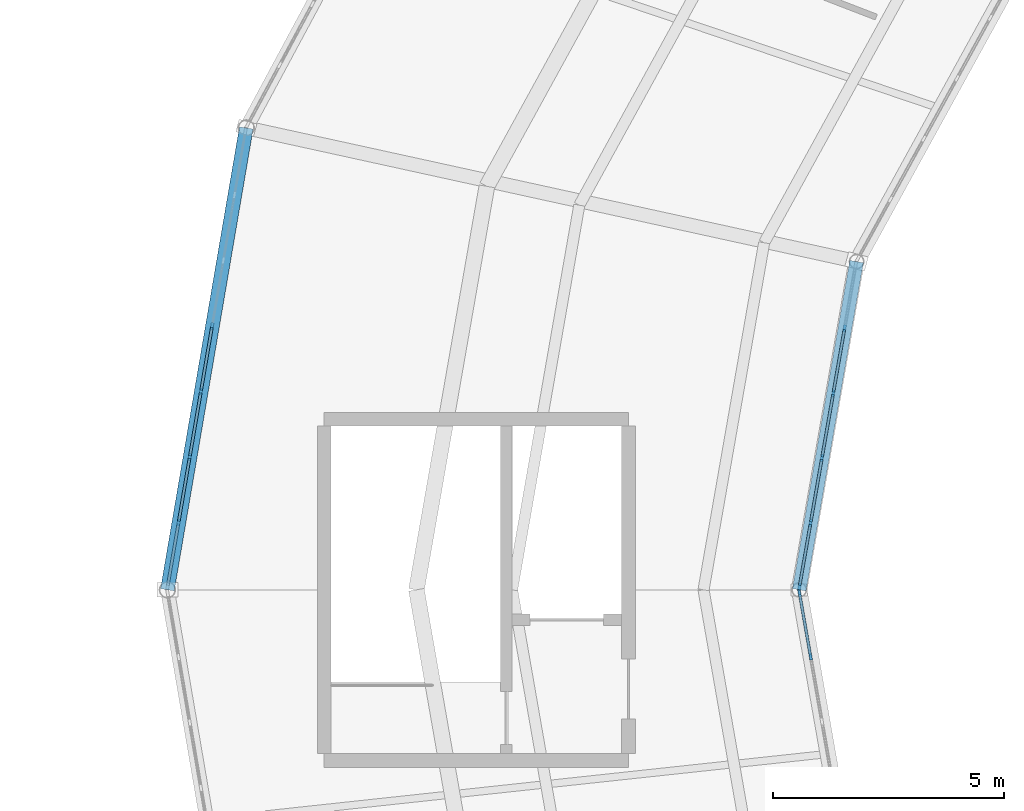
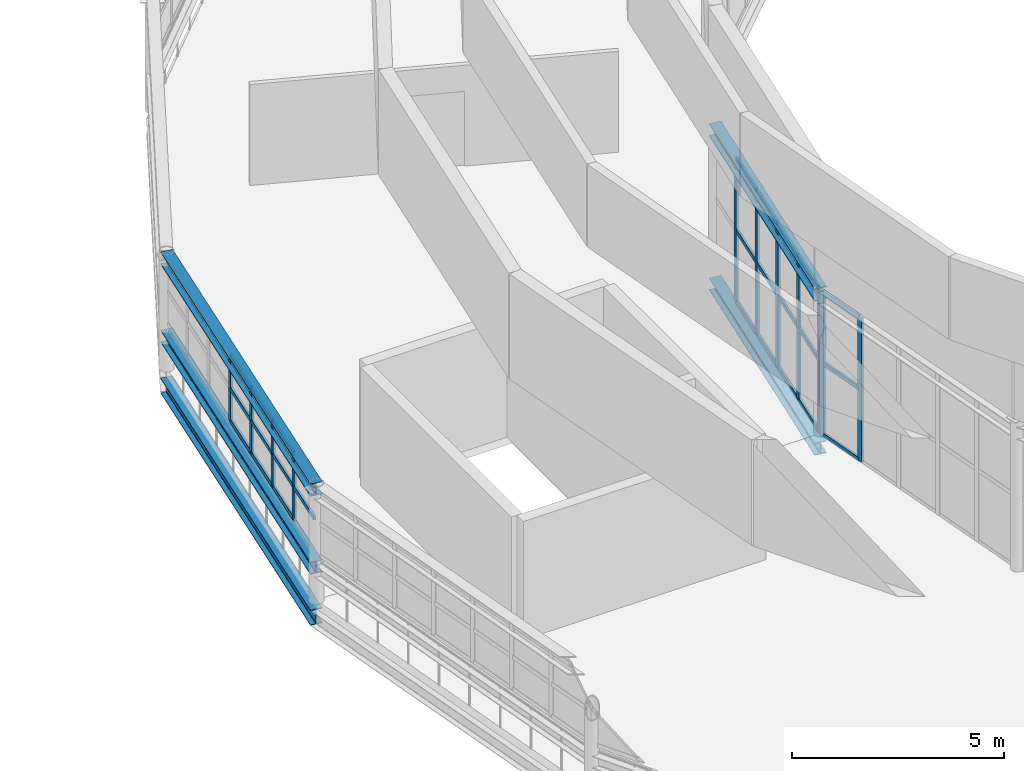
# One storey, part 40 of 123: 37 members, 5 beams, 3 elements without a shape of their own.
"""IFC4 building model written with IfcOpenShell, lengths in metres."""

import ifcopenshell
import ifcopenshell.guid

model = None  # the IFC model being written
_history = None  # IfcOwnerHistory: only IFC2X3 demands one
_inside = {}  # id of a spatial element -> (the spatial element, [elements in it])
_under = {}  # id of a project, library or spatial element -> (it, [spatial elements below it])
_declared = {}  # id of a project -> (the project, [libraries it declares])
_typed = {}  # id of a type object -> (the type object, [elements of that type])
_made_of = {}  # id of a material, layer set ... -> (it, [elements and type objects made of it])


def new_model(schema):
    """Start an empty IFC model of exactly this schema.

    Asked for "IFC4X3", IfcOpenShell would pick the latest addendum, in which some entities
    have other attributes; the version numbers below select the first issue.
    IFC2X3 requires an IfcOwnerHistory on every rooted entity: one is made here for all.
    """
    global model, _history
    if schema == "IFC4X3":
        model = ifcopenshell.file(schema_version=(4, 3, 0, 0))
    else:
        model = ifcopenshell.file(schema=schema)
    _inside.clear()
    _under.clear()
    _declared.clear()
    _typed.clear()
    _made_of.clear()
    _history = None
    if model.schema == "IFC2X3":
        org = make("IfcOrganization", Name="unknown")
        user = make(
            "IfcPersonAndOrganization",
            ThePerson=make("IfcPerson", FamilyName="unknown"),
            TheOrganization=org,
        )
        app = make(
            "IfcApplication",
            ApplicationDeveloper=org,
            Version="unknown",
            ApplicationFullName="unknown",
            ApplicationIdentifier="unknown",
        )
        _history = make(
            "IfcOwnerHistory",
            OwningUser=user,
            OwningApplication=app,
            ChangeAction="ADDED",
            CreationDate=0,
        )
    return model


def make(cls, **values):
    """One entity of the class cls with the attributes given. An attribute that is None is left unset."""
    return model.create_entity(
        cls, **{name: value for name, value in values.items() if value is not None}
    )


def rooted(cls, **values):
    """An entity with a GlobalId (a new one), such as an element, a storey or a relation."""
    return make(cls, GlobalId=ifcopenshell.guid.new(), OwnerHistory=_history, **values)


def si_unit(unit_type, name, prefix=None):
    """IfcSIUnit, for example si_unit("LENGTHUNIT", "METRE", prefix="MILLI")."""
    return make("IfcSIUnit", UnitType=unit_type, Prefix=prefix, Name=name)


def assignment(units):
    """IfcUnitAssignment: the units of a project."""
    return None if units is None else make("IfcUnitAssignment", Units=units)


def point(xyz):
    """IfcCartesianPoint."""
    return None if xyz is None else make("IfcCartesianPoint", Coordinates=xyz)


def direction(xyz):
    """IfcDirection."""
    return None if xyz is None else make("IfcDirection", DirectionRatios=xyz)


def frame(location, z_axis=None, x_axis=None):
    """IfcAxis2Placement3D, a coordinate frame: its origin and axes. An axis left out is left unset."""
    return make(
        "IfcAxis2Placement3D",
        Location=point(location),
        Axis=direction(z_axis),
        RefDirection=direction(x_axis),
    )


def frame_2d(location, x_axis=None):
    """IfcAxis2Placement2D, a coordinate frame in the plane: its origin and x axis."""
    return make(
        "IfcAxis2Placement2D", Location=point(location), RefDirection=direction(x_axis)
    )


def origin():
    """The frame at (0, 0, 0) with its axes left unset."""
    return frame((0.0, 0.0, 0.0))


def origin_2d():
    """The frame at (0, 0) in the plane with its x axis left unset."""
    return frame_2d((0.0, 0.0))


def place(relative_to, where):
    """IfcLocalPlacement: puts the frame where relative to a parent placement (None: the world)."""
    return make(
        "IfcLocalPlacement", PlacementRelTo=relative_to, RelativePlacement=where
    )


def context(
    kind, dimensions, precision=None, world=None, true_north=None, identifier=None
):
    """IfcGeometricRepresentationContext, for example the 3D "Model" context."""
    return make(
        "IfcGeometricRepresentationContext",
        ContextIdentifier=identifier,
        ContextType=kind,
        CoordinateSpaceDimension=dimensions,
        Precision=precision,
        WorldCoordinateSystem=world,
        TrueNorth=true_north,
    )


def subcontext(parent, identifier, kind, view, scale=None):
    """IfcGeometricRepresentationSubContext, for example "Body" below "Model"."""
    return make(
        "IfcGeometricRepresentationSubContext",
        ContextIdentifier=identifier,
        ContextType=kind,
        ParentContext=parent,
        TargetScale=scale,
        TargetView=view,
    )


def project(units=None, contexts=None):
    """IfcProject with its units and contexts."""
    return rooted(
        "IfcProject",
        Name="project",
        RepresentationContexts=contexts,
        UnitsInContext=assignment(units),
    )


def spatial(cls, under=None, at=None, **own):
    """A site, building, storey or space (cls), placed at a placement, below another one or the project."""
    s = rooted(cls, ObjectPlacement=at, **own)
    if under is not None:
        _under.setdefault(under.id(), (under, []))[1].append(s)
    return s


def profile(cls, at=None, kind="AREA", **sizes):
    """A parametric profile (cls). Its sizes go by their IFC names, for example OverallWidth=200.0."""
    return make(cls, ProfileType=kind, Position=at, **sizes)


def rectangle(**sizes):
    """IfcRectangleProfileDef."""
    return profile("IfcRectangleProfileDef", **sizes)


def i_section(**sizes):
    """IfcIShapeProfileDef."""
    return profile("IfcIShapeProfileDef", **sizes)


def extrude(swept, where, along, depth):
    """IfcExtrudedAreaSolid: the profile swept, set in the frame where, extruded along a direction by depth."""
    return make(
        "IfcExtrudedAreaSolid",
        SweptArea=swept,
        Position=where,
        ExtrudedDirection=direction(along),
        Depth=depth,
    )


def shape(context_of_items, identifier, shape_type, items):
    """IfcShapeRepresentation: the items that make up one representation, for example the "Body"."""
    return make(
        "IfcShapeRepresentation",
        ContextOfItems=context_of_items,
        RepresentationIdentifier=identifier,
        RepresentationType=shape_type,
        Items=items,
    )


def material(Name=None, Category=None):
    """IfcMaterial."""
    return make("IfcMaterial", Name=Name, Category=Category)


def material_profile(
    of_material, cross_section, Name=None, Category=None, Priority=None
):
    """IfcMaterialProfile: a cross section and its material."""
    return make(
        "IfcMaterialProfile",
        Name=Name,
        Material=of_material,
        Profile=cross_section,
        Priority=Priority,
        Category=Category,
    )


def profile_set(profiles, Name=None, composite=None):
    """IfcMaterialProfileSet."""
    return make(
        "IfcMaterialProfileSet",
        Name=Name,
        MaterialProfiles=profiles,
        CompositeProfile=composite,
    )


def made_of(thing, what):
    """Note that an element or type object is made of a material, layer set ...; save() writes the relation."""
    if what is not None:
        _made_of.setdefault(what.id(), (what, []))[1].append(thing)
    return thing


def type_object(cls, material=None, **own):
    """A type object (cls), such as IfcWallType, which elements share."""
    return made_of(rooted(cls, **own), material)


def element(
    cls,
    number,
    at=None,
    inside=None,
    cuts=None,
    type_object=None,
    material=None,
    context=None,
    identifier="Body",
    shape_type=None,
    held_by="IfcProductDefinitionShape",
    body=None,
    shapes=None,
    **own,
):
    """One element of the class cls, such as IfcWall. Its Tag is "e" and its number.

    at: its placement. inside: the storey or other place that contains it. cuts: it is an
    opening in that element (IfcRelVoidsElement). A single representation is given by context,
    identifier, shape_type and body (its items); several are given by shapes. held_by: the class
    of the entity that holds the representations. save() writes the other relations.
    """
    e = rooted(cls, Tag="e%d" % number, ObjectPlacement=at, **own)
    if body is not None:
        shapes = [shape(context, identifier, shape_type, body)]
    if shapes is not None:
        e.Representation = make(held_by, Representations=shapes)
    if inside is not None:
        _inside.setdefault(inside.id(), (inside, []))[1].append(e)
    if cuts is not None:
        rooted(
            "IfcRelVoidsElement", RelatingBuildingElement=cuts, RelatedOpeningElement=e
        )
    if type_object is not None:
        _typed.setdefault(type_object.id(), (type_object, []))[1].append(e)
    return made_of(e, material)


def aggregate(whole, parts):
    """IfcRelAggregates: a whole, such as a stair, and the parts it consists of."""
    return rooted("IfcRelAggregates", RelatingObject=whole, RelatedObjects=parts)


def save(model, path):
    """Write the relations noted so far, then the file.

    IfcRelAggregates (storeys below a building ...), IfcRelContainedInSpatialStructure (elements
    in a storey), IfcRelDefinesByType, IfcRelAssociatesMaterial and IfcRelDeclares: one each for
    every whole, place, type object, material and project.
    """
    for whole, parts in _under.values():
        aggregate(whole, parts)
    for where, things in _inside.values():
        rooted(
            "IfcRelContainedInSpatialStructure",
            RelatedElements=things,
            RelatingStructure=where,
        )
    for kind, things in _typed.values():
        rooted("IfcRelDefinesByType", RelatedObjects=things, RelatingType=kind)
    for what, things in _made_of.values():
        rooted("IfcRelAssociatesMaterial", RelatedObjects=things, RelatingMaterial=what)
    for by, libraries in _declared.values():
        rooted("IfcRelDeclares", RelatingContext=by, RelatedDefinitions=libraries)
    model.write(path)


model = new_model("IFC4")

# Units and contexts
model_context = context("Model", 3, precision=1e-05, world=origin(), true_north=direction((0.0, 1.0)))
body_context = subcontext(model_context, "Body", "Model", "MODEL_VIEW")
ifc_project = project(units=[si_unit("LENGTHUNIT", "METRE"), si_unit("AREAUNIT", "SQUARE_METRE"), si_unit("VOLUMEUNIT", "CUBIC_METRE"), si_unit("PLANEANGLEUNIT", "RADIAN"), si_unit("MASSUNIT", "GRAM", prefix="KILO")], contexts=[model_context])

# Site, building, storey
site_placement = place(None, origin())
site = spatial("IfcSite", under=ifc_project, at=site_placement, CompositionType="ELEMENT")
building_placement = place(site_placement, origin())
building = spatial("IfcBuilding", under=site, at=building_placement, Name="Kildeholm Park Wholesale Market", CompositionType="ELEMENT")
storey_placement = place(building_placement, frame((0.0, 0.0, 9.60009765625)))
storey = spatial("IfcBuildingStorey", under=building, at=storey_placement, Name="L02", CompositionType="ELEMENT", Elevation=9.60009765625)

# Beams
ifc_material_1 = material(Name="Steel S355", Category="steel")
ifc_material_profile_1 = material_profile(ifc_material_1, i_section(OverallWidth=0.300048828125, OverallDepth=0.35009765625, WebThickness=0.010009765625, FlangeThickness=0.017578125, FilletRadius=0.027099609375, at=origin_2d()), Name="HEA 360")
ifc_profile_set_1 = profile_set([ifc_material_profile_1], Name="Steel S355")
beam_type_1 = type_object("IfcBeamType", Name="Beam B-R01 HEA 360", PredefinedType="BEAM", material=ifc_profile_set_1)
beam_1_placement = place(storey_placement, frame((63.743896484375, 96.617919921875, -0.42919921875), z_axis=(-0.172146745201, -0.985071316259, 0.0), x_axis=(0.985071316259, -0.172146745201, 0.0)))
element("IfcBeam", 1, at=beam_1_placement, inside=storey, type_object=beam_type_1, Name="Beam BM-V1-L02-CI-11 BM-0106", PredefinedType="BEAM", context=body_context, shape_type="SweptSolid", body=[
    extrude(i_section(OverallWidth=0.300048828125, OverallDepth=0.35009765625, WebThickness=0.010009765625, FlangeThickness=0.017578125, FilletRadius=0.027099609375, at=origin_2d()), origin(), (0.0, 0.0, 1.0), 7.225830078125),
])
beam_2_placement = place(storey_placement, frame((50.510986328125, 99.51611328125, 0.94775390625), z_axis=(-0.168379597692, -0.985722228156, 0.0), x_axis=(0.985722228156, -0.168379597692, 0.0)))
element("IfcBeam", 2, at=beam_2_placement, inside=storey, type_object=beam_type_1, Name="Beam BM-V1-S1IN-11 BM-0287", PredefinedType="BEAM", context=body_context, shape_type="SweptSolid", body=[
    extrude(i_section(OverallWidth=0.300048828125, OverallDepth=0.35009765625, WebThickness=0.010009765625, FlangeThickness=0.017578125, FilletRadius=0.027099609375, at=origin_2d()), origin(), (0.0, 0.0, 1.0), 10.1611328125),
])
ifc_material_profile_2 = material_profile(ifc_material_1, i_section(OverallWidth=0.300048828125, OverallDepth=0.43994140625, WebThickness=0.011474609375, FlangeThickness=0.02099609375, FilletRadius=0.027099609375, at=origin_2d()), Name="HEA 450")
ifc_profile_set_2 = profile_set([ifc_material_profile_2], Name="Steel S355")
beam_type_2 = type_object("IfcBeamType", Name="Beam B-R02 HEA 450", PredefinedType="BEAM", material=ifc_profile_set_2)
beam_3_placement = place(storey_placement, frame((50.510986328125, 99.51611328125, -0.47412109375), z_axis=(-0.168379597692, -0.985722228156, 0.0), x_axis=(0.985722228156, -0.168379597692, 0.0)))
element("IfcBeam", 3, at=beam_3_placement, inside=storey, type_object=beam_type_2, Name="Beam BM-V1-L02-CM-11 BM-0107", PredefinedType="BEAM", context=body_context, shape_type="SweptSolid", body=[
    extrude(i_section(OverallWidth=0.300048828125, OverallDepth=0.43994140625, WebThickness=0.011474609375, FlangeThickness=0.02099609375, FilletRadius=0.027099609375, at=origin_2d()), origin(), (0.0, 0.0, 1.0), 10.1611328125),
])
ifc_material_profile_3 = material_profile(ifc_material_1, i_section(OverallWidth=0.300048828125, OverallDepth=0.360107421875, WebThickness=0.012451171875, FlangeThickness=0.0224609375, FilletRadius=0.027099609375, at=origin_2d()), Name="HEB 360")
ifc_profile_set_3 = profile_set([ifc_material_profile_3], Name="Steel S355")
beam_type_3 = type_object("IfcBeamType", Name="Beam B-R03 HEB 360", PredefinedType="BEAM", material=ifc_profile_set_3)
beam_4_placement = place(storey_placement, frame((50.510986328125, 99.51611328125, 3.19091796875), z_axis=(-0.168379597692, -0.985722228156, 0.0), x_axis=(0.985722228156, -0.168379597692, 0.0)))
element("IfcBeam", 4, at=beam_4_placement, inside=storey, type_object=beam_type_3, Name="Beam BM-V1-RF-M1-11 BM-0288", PredefinedType="BEAM", context=body_context, shape_type="SweptSolid", body=[
    extrude(i_section(OverallWidth=0.300048828125, OverallDepth=0.360107421875, WebThickness=0.012451171875, FlangeThickness=0.0224609375, FilletRadius=0.027099609375, at=origin_2d()), origin(), (0.0, 0.0, 1.0), 10.1611328125),
])
beam_5_placement = place(storey_placement, frame((63.743896484375, 96.617919921875, 4.002685546875), z_axis=(-0.172146745201, -0.985071316259, 0.0), x_axis=(0.985071316259, -0.172146745201, 0.0)))
element("IfcBeam", 5, at=beam_5_placement, inside=storey, type_object=beam_type_3, Name="Beam BM-V1-RF-IN-11 BM-0289", PredefinedType="BEAM", context=body_context, shape_type="SweptSolid", body=[
    extrude(i_section(OverallWidth=0.300048828125, OverallDepth=0.360107421875, WebThickness=0.012451171875, FlangeThickness=0.0224609375, FilletRadius=0.027099609375, at=origin_2d()), origin(), (0.0, 0.0, 1.0), 7.225830078125),
])

# Curtain wall, members
ifc_material_2 = material(Name="Anodised aluminium and low-E double-glazed glass", Category="aluminium")
curtain_wall_type = type_object("IfcCurtainWallType", Name="Clerestory daylight stick curtain wall CW-02", PredefinedType="NOTDEFINED", material=ifc_material_2)
curtain_wall_1_placement = place(storey_placement, origin())
curtain_wall_1 = element("IfcCurtainWall", 6, at=curtain_wall_1_placement, inside=storey, type_object=curtain_wall_type, Name="Curtain wall CW-V1-CL-11 CW-0055", PredefinedType="NOTDEFINED")
ifc_material_3 = material(Name="Anodised aluminium", Category="aluminium")
ifc_material_profile_4 = material_profile(ifc_material_3, rectangle(XDim=0.06005859375, YDim=0.14990234375, at=origin_2d()), Name="CWM 60x150")
ifc_profile_set_4 = profile_set([ifc_material_profile_4], Name="Anodised aluminium")
member_type_1 = type_object("IfcMemberType", Name="Curtain-wall mullion CWM-3 CWM 60x150", PredefinedType="MULLION", material=ifc_profile_set_4)
member_1_placement = place(storey_placement, frame((49.769775390625, 95.21875, 1.349853515625), z_axis=(0.0, 0.0, 1.0), x_axis=(0.985732010437, -0.168322320564, 0.0)))
member_1 = element("IfcMember", 7, at=member_1_placement, type_object=member_type_1, Name="CW-02 mullion 4 MEM-1907", PredefinedType="MULLION", context=body_context, shape_type="SweptSolid", body=[
    extrude(rectangle(XDim=0.06005859375, YDim=0.14990234375, at=origin_2d()), origin(), (0.0, 0.0, 1.0), 1.900146484375),
])
member_2_placement = place(storey_placement, frame((49.52734375, 93.799072265625, 1.349853515625), z_axis=(0.0, 0.0, 1.0), x_axis=(0.985732010437, -0.168322320564, 0.0)))
member_2 = element("IfcMember", 8, at=member_2_placement, type_object=member_type_1, Name="CW-02 mullion 5 MEM-1908", PredefinedType="MULLION", context=body_context, shape_type="SweptSolid", body=[
    extrude(rectangle(XDim=0.06005859375, YDim=0.14990234375, at=origin_2d()), origin(), (0.0, 0.0, 1.0), 1.900146484375),
])
member_3_placement = place(storey_placement, frame((49.284912109375, 92.37939453125, 1.349853515625), z_axis=(0.0, 0.0, 1.0), x_axis=(0.985732010437, -0.168322320564, 0.0)))
member_3 = element("IfcMember", 9, at=member_3_placement, type_object=member_type_1, Name="CW-02 mullion 6 MEM-1909", PredefinedType="MULLION", context=body_context, shape_type="SweptSolid", body=[
    extrude(rectangle(XDim=0.06005859375, YDim=0.14990234375, at=origin_2d()), origin(), (0.0, 0.0, 1.0), 1.900146484375),
])
member_4_placement = place(storey_placement, frame((49.04248046875, 90.959716796875, 1.349853515625), z_axis=(0.0, 0.0, 1.0), x_axis=(0.985732010437, -0.168322320564, 0.0)))
member_4 = element("IfcMember", 10, at=member_4_placement, type_object=member_type_1, Name="CW-02 mullion 7 MEM-1910", PredefinedType="MULLION", context=body_context, shape_type="SweptSolid", body=[
    extrude(rectangle(XDim=0.06005859375, YDim=0.14990234375, at=origin_2d()), origin(), (0.0, 0.0, 1.0), 1.900146484375),
])

curtain_wall_2_placement = place(storey_placement, origin())
curtain_wall_2 = element("IfcCurtainWall", 11, at=curtain_wall_2_placement, inside=storey, type_object=curtain_wall_type, Name="Curtain wall CW-V1-IN2-11 CW-0058", PredefinedType="NOTDEFINED")
member_5_placement = place(storey_placement, frame((63.48388671875, 95.171142578125, 0.0), z_axis=(0.0, 0.0, 1.0), x_axis=(0.985073802851, -0.172132515628, 0.0)))
member_5 = element("IfcMember", 12, at=member_5_placement, type_object=member_type_1, Name="CW-02 mullion 2 MEM-1976", PredefinedType="MULLION", context=body_context, shape_type="SweptSolid", body=[
    extrude(rectangle(XDim=0.06005859375, YDim=0.14990234375, at=origin_2d()), origin(), (0.0, 0.0, 1.0), 4.14990234375),
])
member_6_placement = place(storey_placement, frame((63.238037109375, 93.763427734375, 0.0), z_axis=(0.0, 0.0, 1.0), x_axis=(0.985073802851, -0.172132515628, 0.0)))
member_6 = element("IfcMember", 13, at=member_6_placement, type_object=member_type_1, Name="CW-02 mullion 3 MEM-1977", PredefinedType="MULLION", context=body_context, shape_type="SweptSolid", body=[
    extrude(rectangle(XDim=0.06005859375, YDim=0.14990234375, at=origin_2d()), origin(), (0.0, 0.0, 1.0), 4.14990234375),
])
member_7_placement = place(storey_placement, frame((62.991943359375, 92.355712890625, 0.0), z_axis=(0.0, 0.0, 1.0), x_axis=(0.985073802851, -0.172132515628, 0.0)))
member_7 = element("IfcMember", 14, at=member_7_placement, type_object=member_type_1, Name="CW-02 mullion 4 MEM-1978", PredefinedType="MULLION", context=body_context, shape_type="SweptSolid", body=[
    extrude(rectangle(XDim=0.06005859375, YDim=0.14990234375, at=origin_2d()), origin(), (0.0, 0.0, 1.0), 4.14990234375),
])
member_8_placement = place(storey_placement, frame((62.74609375, 90.94775390625, 0.0), z_axis=(0.0, 0.0, 1.0), x_axis=(0.985073802851, -0.172132515628, 0.0)))
member_8 = element("IfcMember", 15, at=member_8_placement, type_object=member_type_1, Name="CW-02 mullion 5 MEM-1979", PredefinedType="MULLION", context=body_context, shape_type="SweptSolid", body=[
    extrude(rectangle(XDim=0.06005859375, YDim=0.14990234375, at=origin_2d()), origin(), (0.0, 0.0, 1.0), 4.14990234375),
])
member_9_placement = place(storey_placement, frame((62.505126953125, 89.569580078125, 0.0), z_axis=(0.0, 0.0, 1.0), x_axis=(0.985073802851, -0.172132515628, 0.0)))
member_9 = element("IfcMember", 16, at=member_9_placement, type_object=member_type_1, Name="CW-02 mullion 6 MEM-1980", PredefinedType="MULLION", context=body_context, shape_type="SweptSolid", body=[
    extrude(rectangle(XDim=0.06005859375, YDim=0.14990234375, at=origin_2d()), origin(), (0.0, 0.0, 1.0), 4.14990234375),
])

curtain_wall_3_placement = place(storey_placement, origin())
curtain_wall_3 = element("IfcCurtainWall", 17, at=curtain_wall_3_placement, inside=storey, type_object=curtain_wall_type, Name="Curtain wall CW-V1-IN2-12 CW-0063", PredefinedType="NOTDEFINED")
member_10_placement = place(storey_placement, frame((62.505126953125, 89.430419921875, 0.0), z_axis=(0.0, 0.0, 1.0), x_axis=(0.985073802851, 0.172132515628, 0.0)))
member_10 = element("IfcMember", 18, at=member_10_placement, type_object=member_type_1, Name="CW-02 mullion 1 MEM-2100", PredefinedType="MULLION", context=body_context, shape_type="SweptSolid", body=[
    extrude(rectangle(XDim=0.06005859375, YDim=0.14990234375, at=origin_2d()), origin(), (0.0, 0.0, 1.0), 4.14990234375),
])
member_11_placement = place(storey_placement, frame((62.74609375, 88.05224609375, 0.0), z_axis=(0.0, 0.0, 1.0), x_axis=(0.985073802851, 0.172132515628, 0.0)))
member_11 = element("IfcMember", 19, at=member_11_placement, type_object=member_type_1, Name="CW-02 mullion 2 MEM-2101", PredefinedType="MULLION", context=body_context, shape_type="SweptSolid", body=[
    extrude(rectangle(XDim=0.06005859375, YDim=0.14990234375, at=origin_2d()), origin(), (0.0, 0.0, 1.0), 4.14990234375),
])

# Member
ifc_material_profile_5 = material_profile(ifc_material_3, rectangle(XDim=0.06005859375, YDim=0.1201171875, at=origin_2d()), Name="CWT 60x120")
ifc_profile_set_5 = profile_set([ifc_material_profile_5], Name="Anodised aluminium")
member_type_2 = type_object("IfcMemberType", Name="Curtain-wall transom CWT-3 CWT 60x120", PredefinedType="USERDEFINED", material=ifc_profile_set_5)
member_12_placement = place(storey_placement, frame((49.7646484375, 95.189208984375, 1.3798828125), z_axis=(-0.168384490495, -0.985721392362, 0.0), x_axis=(0.985721392362, -0.168384490495, 0.0)))
member_12 = element("IfcMember", 20, at=member_12_placement, type_object=member_type_2, Name="CW-02 transom 4.1 MEM-1921", ObjectType="TRANSOM", PredefinedType="USERDEFINED", context=body_context, shape_type="SweptSolid", body=[
    extrude(rectangle(XDim=0.06005859375, YDim=0.1201171875, at=origin_2d()), origin(), (0.0, 0.0, 1.0), 1.38037109375),
])

member_13_placement = place(storey_placement, frame((49.7646484375, 95.189208984375, 2.2998046875), z_axis=(-0.168384490495, -0.985721392362, 0.0), x_axis=(0.985721392362, -0.168384490495, 0.0)))
member_13 = element("IfcMember", 21, at=member_13_placement, type_object=member_type_2, Name="CW-02 transom 4.2 MEM-1922", ObjectType="TRANSOM", PredefinedType="USERDEFINED", context=body_context, shape_type="SweptSolid", body=[
    extrude(rectangle(XDim=0.06005859375, YDim=0.1201171875, at=origin_2d()), origin(), (0.0, 0.0, 1.0), 1.38037109375),
])

member_14_placement = place(storey_placement, frame((49.7646484375, 95.189208984375, 3.219970703125), z_axis=(-0.168384490495, -0.985721392362, 0.0), x_axis=(0.985721392362, -0.168384490495, 0.0)))
member_14 = element("IfcMember", 22, at=member_14_placement, type_object=member_type_2, Name="CW-02 transom 4.3 MEM-1923", ObjectType="TRANSOM", PredefinedType="USERDEFINED", context=body_context, shape_type="SweptSolid", body=[
    extrude(rectangle(XDim=0.06005859375, YDim=0.1201171875, at=origin_2d()), origin(), (0.0, 0.0, 1.0), 1.38037109375),
])

member_15_placement = place(storey_placement, frame((49.522216796875, 93.76953125, 1.3798828125), z_axis=(-0.168384490495, -0.985721392362, 0.0), x_axis=(0.985721392362, -0.168384490495, 0.0)))
member_15 = element("IfcMember", 23, at=member_15_placement, type_object=member_type_2, Name="CW-02 transom 5.1 MEM-1924", ObjectType="TRANSOM", PredefinedType="USERDEFINED", context=body_context, shape_type="SweptSolid", body=[
    extrude(rectangle(XDim=0.06005859375, YDim=0.1201171875, at=origin_2d()), origin(), (0.0, 0.0, 1.0), 1.38037109375),
])

member_16_placement = place(storey_placement, frame((49.522216796875, 93.76953125, 2.2998046875), z_axis=(-0.168384490495, -0.985721392362, 0.0), x_axis=(0.985721392362, -0.168384490495, 0.0)))
member_16 = element("IfcMember", 24, at=member_16_placement, type_object=member_type_2, Name="CW-02 transom 5.2 MEM-1925", ObjectType="TRANSOM", PredefinedType="USERDEFINED", context=body_context, shape_type="SweptSolid", body=[
    extrude(rectangle(XDim=0.06005859375, YDim=0.1201171875, at=origin_2d()), origin(), (0.0, 0.0, 1.0), 1.38037109375),
])

member_17_placement = place(storey_placement, frame((49.522216796875, 93.76953125, 3.219970703125), z_axis=(-0.168384490495, -0.985721392362, 0.0), x_axis=(0.985721392362, -0.168384490495, 0.0)))
member_17 = element("IfcMember", 25, at=member_17_placement, type_object=member_type_2, Name="CW-02 transom 5.3 MEM-1926", ObjectType="TRANSOM", PredefinedType="USERDEFINED", context=body_context, shape_type="SweptSolid", body=[
    extrude(rectangle(XDim=0.06005859375, YDim=0.1201171875, at=origin_2d()), origin(), (0.0, 0.0, 1.0), 1.38037109375),
])

member_18_placement = place(storey_placement, frame((49.27978515625, 92.349853515625, 1.3798828125), z_axis=(-0.168384490495, -0.985721392362, 0.0), x_axis=(0.985721392362, -0.168384490495, 0.0)))
member_18 = element("IfcMember", 26, at=member_18_placement, type_object=member_type_2, Name="CW-02 transom 6.1 MEM-1927", ObjectType="TRANSOM", PredefinedType="USERDEFINED", context=body_context, shape_type="SweptSolid", body=[
    extrude(rectangle(XDim=0.06005859375, YDim=0.1201171875, at=origin_2d()), origin(), (0.0, 0.0, 1.0), 1.38037109375),
])

member_19_placement = place(storey_placement, frame((49.27978515625, 92.349853515625, 2.2998046875), z_axis=(-0.168384490495, -0.985721392362, 0.0), x_axis=(0.985721392362, -0.168384490495, 0.0)))
member_19 = element("IfcMember", 27, at=member_19_placement, type_object=member_type_2, Name="CW-02 transom 6.2 MEM-1928", ObjectType="TRANSOM", PredefinedType="USERDEFINED", context=body_context, shape_type="SweptSolid", body=[
    extrude(rectangle(XDim=0.06005859375, YDim=0.1201171875, at=origin_2d()), origin(), (0.0, 0.0, 1.0), 1.38037109375),
])

member_20_placement = place(storey_placement, frame((49.27978515625, 92.349853515625, 3.219970703125), z_axis=(-0.168384490495, -0.985721392362, 0.0), x_axis=(0.985721392362, -0.168384490495, 0.0)))
member_20 = element("IfcMember", 28, at=member_20_placement, type_object=member_type_2, Name="CW-02 transom 6.3 MEM-1929", ObjectType="TRANSOM", PredefinedType="USERDEFINED", context=body_context, shape_type="SweptSolid", body=[
    extrude(rectangle(XDim=0.06005859375, YDim=0.1201171875, at=origin_2d()), origin(), (0.0, 0.0, 1.0), 1.38037109375),
])

member_21_placement = place(storey_placement, frame((49.037353515625, 90.93017578125, 2.2998046875), z_axis=(-0.168326457098, -0.985731304079, 0.0), x_axis=(0.985731304079, -0.168326457098, 0.0)))
member_21 = element("IfcMember", 29, at=member_21_placement, type_object=member_type_2, Name="CW-02 transom 7.2 MEM-1931", ObjectType="TRANSOM", PredefinedType="USERDEFINED", context=body_context, shape_type="SweptSolid", body=[
    extrude(rectangle(XDim=0.06005859375, YDim=0.1201171875, at=origin_2d()), origin(), (0.0, 0.0, 1.0), 1.350341796875),
])

member_22_placement = place(storey_placement, frame((49.037353515625, 90.93017578125, 3.219970703125), z_axis=(-0.168326457098, -0.985731304079, 0.0), x_axis=(0.985731304079, -0.168326457098, 0.0)))
member_22 = element("IfcMember", 30, at=member_22_placement, type_object=member_type_2, Name="CW-02 transom 7.3 MEM-1932", ObjectType="TRANSOM", PredefinedType="USERDEFINED", context=body_context, shape_type="SweptSolid", body=[
    extrude(rectangle(XDim=0.06005859375, YDim=0.1201171875, at=origin_2d()), origin(), (0.0, 0.0, 1.0), 1.350341796875),
])

aggregate(curtain_wall_1, [member_1, member_2, member_3, member_4, member_12, member_13, member_14, member_15, member_16, member_17, member_18, member_19, member_20, member_21, member_22])

member_23_placement = place(storey_placement, frame((63.478759765625, 95.1416015625, 0.02978515625), z_axis=(-0.172086175377, -0.985081899257, 0.0), x_axis=(0.985081899257, -0.172086175377, 0.0)))
member_23 = element("IfcMember", 31, at=member_23_placement, type_object=member_type_2, Name="CW-02 transom 2.1 MEM-1984", ObjectType="TRANSOM", PredefinedType="USERDEFINED", context=body_context, shape_type="SweptSolid", body=[
    extrude(rectangle(XDim=0.06005859375, YDim=0.1201171875, at=origin_2d()), origin(), (0.0, 0.0, 1.0), 1.369140625),
])

member_24_placement = place(storey_placement, frame((63.478759765625, 95.1416015625, 2.074951171875), z_axis=(-0.172086175377, -0.985081899257, 0.0), x_axis=(0.985081899257, -0.172086175377, 0.0)))
member_24 = element("IfcMember", 32, at=member_24_placement, type_object=member_type_2, Name="CW-02 transom 2.2 MEM-1985", ObjectType="TRANSOM", PredefinedType="USERDEFINED", context=body_context, shape_type="SweptSolid", body=[
    extrude(rectangle(XDim=0.06005859375, YDim=0.1201171875, at=origin_2d()), origin(), (0.0, 0.0, 1.0), 1.369140625),
])

member_25_placement = place(storey_placement, frame((63.478759765625, 95.1416015625, 4.119873046875), z_axis=(-0.172086175377, -0.985081899257, 0.0), x_axis=(0.985081899257, -0.172086175377, 0.0)))
member_25 = element("IfcMember", 33, at=member_25_placement, type_object=member_type_2, Name="CW-02 transom 2.3 MEM-1986", ObjectType="TRANSOM", PredefinedType="USERDEFINED", context=body_context, shape_type="SweptSolid", body=[
    extrude(rectangle(XDim=0.06005859375, YDim=0.1201171875, at=origin_2d()), origin(), (0.0, 0.0, 1.0), 1.369140625),
])

member_26_placement = place(storey_placement, frame((63.23291015625, 93.73388671875, 0.02978515625), z_axis=(-0.172259214119, -0.985051655067, 0.0), x_axis=(0.985051655067, -0.172259214119, 0.0)))
member_26 = element("IfcMember", 34, at=member_26_placement, type_object=member_type_2, Name="CW-02 transom 3.1 MEM-1987", ObjectType="TRANSOM", PredefinedType="USERDEFINED", context=body_context, shape_type="SweptSolid", body=[
    extrude(rectangle(XDim=0.06005859375, YDim=0.1201171875, at=origin_2d()), origin(), (0.0, 0.0, 1.0), 1.369140625),
])

member_27_placement = place(storey_placement, frame((63.23291015625, 93.73388671875, 2.074951171875), z_axis=(-0.172259214119, -0.985051655067, 0.0), x_axis=(0.985051655067, -0.172259214119, 0.0)))
member_27 = element("IfcMember", 35, at=member_27_placement, type_object=member_type_2, Name="CW-02 transom 3.2 MEM-1988", ObjectType="TRANSOM", PredefinedType="USERDEFINED", context=body_context, shape_type="SweptSolid", body=[
    extrude(rectangle(XDim=0.06005859375, YDim=0.1201171875, at=origin_2d()), origin(), (0.0, 0.0, 1.0), 1.369140625),
])

member_28_placement = place(storey_placement, frame((63.23291015625, 93.73388671875, 4.119873046875), z_axis=(-0.172259214119, -0.985051655067, 0.0), x_axis=(0.985051655067, -0.172259214119, 0.0)))
member_28 = element("IfcMember", 36, at=member_28_placement, type_object=member_type_2, Name="CW-02 transom 3.3 MEM-1989", ObjectType="TRANSOM", PredefinedType="USERDEFINED", context=body_context, shape_type="SweptSolid", body=[
    extrude(rectangle(XDim=0.06005859375, YDim=0.1201171875, at=origin_2d()), origin(), (0.0, 0.0, 1.0), 1.369140625),
])

member_29_placement = place(storey_placement, frame((62.98681640625, 92.325927734375, 0.02978515625), z_axis=(-0.172086175377, -0.985081899257, 0.0), x_axis=(0.985081899257, -0.172086175377, 0.0)))
member_29 = element("IfcMember", 37, at=member_29_placement, type_object=member_type_2, Name="CW-02 transom 4.1 MEM-1990", ObjectType="TRANSOM", PredefinedType="USERDEFINED", context=body_context, shape_type="SweptSolid", body=[
    extrude(rectangle(XDim=0.06005859375, YDim=0.1201171875, at=origin_2d()), origin(), (0.0, 0.0, 1.0), 1.369140625),
])

member_30_placement = place(storey_placement, frame((62.98681640625, 92.325927734375, 2.074951171875), z_axis=(-0.172086175377, -0.985081899257, 0.0), x_axis=(0.985081899257, -0.172086175377, 0.0)))
member_30 = element("IfcMember", 38, at=member_30_placement, type_object=member_type_2, Name="CW-02 transom 4.2 MEM-1991", ObjectType="TRANSOM", PredefinedType="USERDEFINED", context=body_context, shape_type="SweptSolid", body=[
    extrude(rectangle(XDim=0.06005859375, YDim=0.1201171875, at=origin_2d()), origin(), (0.0, 0.0, 1.0), 1.369140625),
])

member_31_placement = place(storey_placement, frame((62.98681640625, 92.325927734375, 4.119873046875), z_axis=(-0.172086175377, -0.985081899257, 0.0), x_axis=(0.985081899257, -0.172086175377, 0.0)))
member_31 = element("IfcMember", 39, at=member_31_placement, type_object=member_type_2, Name="CW-02 transom 4.3 MEM-1992", ObjectType="TRANSOM", PredefinedType="USERDEFINED", context=body_context, shape_type="SweptSolid", body=[
    extrude(rectangle(XDim=0.06005859375, YDim=0.1201171875, at=origin_2d()), origin(), (0.0, 0.0, 1.0), 1.369140625),
])

member_32_placement = place(storey_placement, frame((62.74072265625, 90.918212890625, 0.02978515625), z_axis=(-0.172110548446, -0.98507764116, 0.0), x_axis=(0.98507764116, -0.172110548446, 0.0)))
member_32 = element("IfcMember", 40, at=member_32_placement, type_object=member_type_2, Name="CW-02 transom 5.1 MEM-1993", ObjectType="TRANSOM", PredefinedType="USERDEFINED", context=body_context, shape_type="SweptSolid", body=[
    extrude(rectangle(XDim=0.06005859375, YDim=0.1201171875, at=origin_2d()), origin(), (0.0, 0.0, 1.0), 1.339111328125),
])

member_33_placement = place(storey_placement, frame((62.74072265625, 90.918212890625, 2.074951171875), z_axis=(-0.172110548446, -0.98507764116, 0.0), x_axis=(0.98507764116, -0.172110548446, 0.0)))
member_33 = element("IfcMember", 41, at=member_33_placement, type_object=member_type_2, Name="CW-02 transom 5.2 MEM-1994", ObjectType="TRANSOM", PredefinedType="USERDEFINED", context=body_context, shape_type="SweptSolid", body=[
    extrude(rectangle(XDim=0.06005859375, YDim=0.1201171875, at=origin_2d()), origin(), (0.0, 0.0, 1.0), 1.339111328125),
])

member_34_placement = place(storey_placement, frame((62.74072265625, 90.918212890625, 4.119873046875), z_axis=(-0.172110548446, -0.98507764116, 0.0), x_axis=(0.98507764116, -0.172110548446, 0.0)))
member_34 = element("IfcMember", 42, at=member_34_placement, type_object=member_type_2, Name="CW-02 transom 5.3 MEM-1995", ObjectType="TRANSOM", PredefinedType="USERDEFINED", context=body_context, shape_type="SweptSolid", body=[
    extrude(rectangle(XDim=0.06005859375, YDim=0.1201171875, at=origin_2d()), origin(), (0.0, 0.0, 1.0), 1.339111328125),
])

aggregate(curtain_wall_2, [member_5, member_6, member_7, member_8, member_9, member_23, member_24, member_25, member_26, member_27, member_28, member_29, member_30, member_31, member_32, member_33, member_34])

member_35_placement = place(storey_placement, frame((62.51025390625, 89.40087890625, 0.02978515625), z_axis=(0.172110548446, -0.98507764116, 0.0), x_axis=(0.98507764116, 0.172110548446, 0.0)))
member_35 = element("IfcMember", 43, at=member_35_placement, type_object=member_type_2, Name="CW-02 transom 1.1 MEM-2106", ObjectType="TRANSOM", PredefinedType="USERDEFINED", context=body_context, shape_type="SweptSolid", body=[
    extrude(rectangle(XDim=0.06005859375, YDim=0.1201171875, at=origin_2d()), origin(), (0.0, 0.0, 1.0), 1.339111328125),
])

member_36_placement = place(storey_placement, frame((62.51025390625, 89.40087890625, 2.074951171875), z_axis=(0.172110548446, -0.98507764116, 0.0), x_axis=(0.98507764116, 0.172110548446, 0.0)))
member_36 = element("IfcMember", 44, at=member_36_placement, type_object=member_type_2, Name="CW-02 transom 1.2 MEM-2107", ObjectType="TRANSOM", PredefinedType="USERDEFINED", context=body_context, shape_type="SweptSolid", body=[
    extrude(rectangle(XDim=0.06005859375, YDim=0.1201171875, at=origin_2d()), origin(), (0.0, 0.0, 1.0), 1.339111328125),
])

member_37_placement = place(storey_placement, frame((62.51025390625, 89.40087890625, 4.119873046875), z_axis=(0.172110548446, -0.98507764116, 0.0), x_axis=(0.98507764116, 0.172110548446, 0.0)))
member_37 = element("IfcMember", 45, at=member_37_placement, type_object=member_type_2, Name="CW-02 transom 1.3 MEM-2108", ObjectType="TRANSOM", PredefinedType="USERDEFINED", context=body_context, shape_type="SweptSolid", body=[
    extrude(rectangle(XDim=0.06005859375, YDim=0.1201171875, at=origin_2d()), origin(), (0.0, 0.0, 1.0), 1.339111328125),
])

aggregate(curtain_wall_3, [member_10, member_11, member_35, member_36, member_37])

save(model, "model.ifc")
